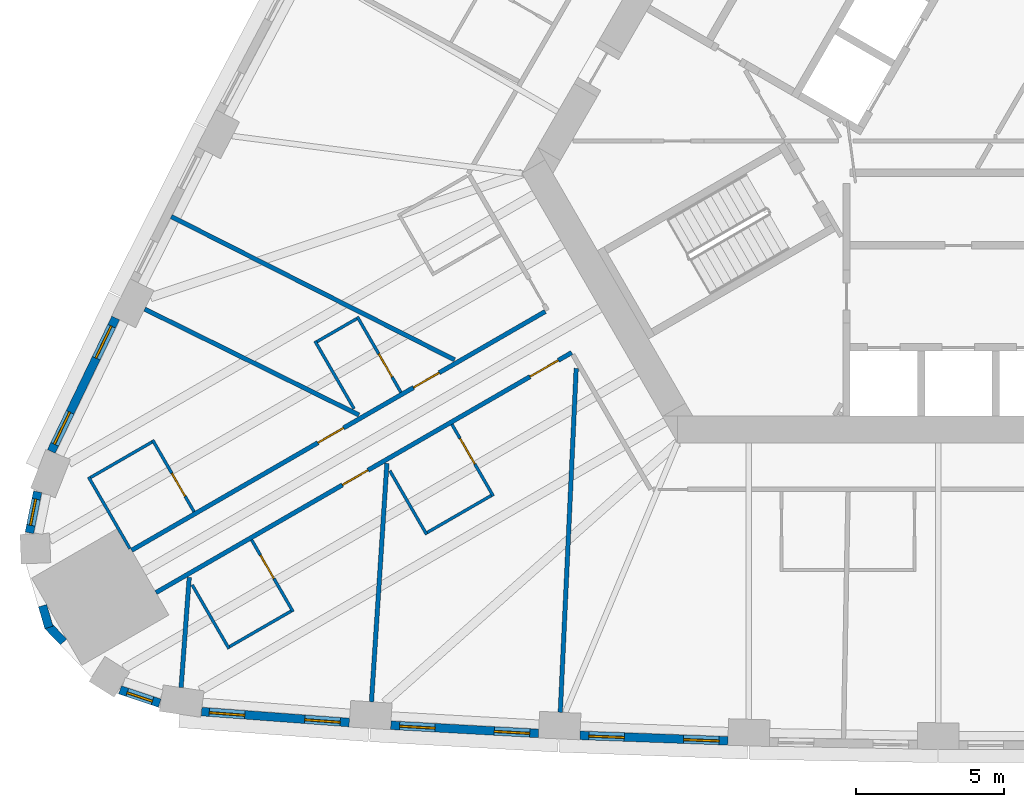
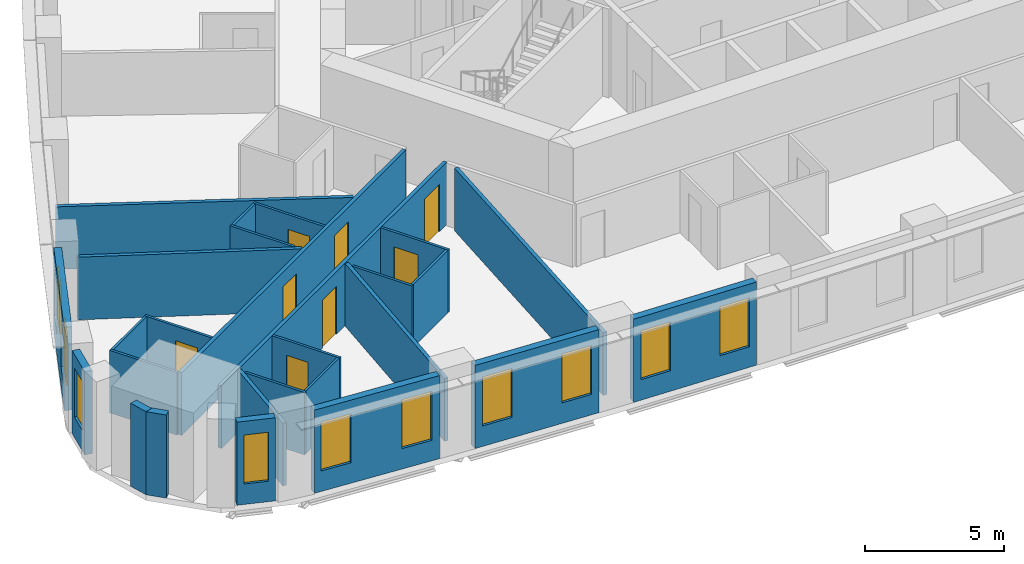
# One storey, part 3 of 13: 27 walls, 10 windows, 8 doors, 18 openings.
"""IFC4 building model written with IfcOpenShell, lengths in metres."""

from ifc_helpers import new_model, si_unit, direction, frame, frame_2d, origin, place, context, subcontext, project, spatial, rectangle, extrude, material, layer, layer_set, type_object, element, fill, save


model = new_model("IFC4")

# Units and contexts
model_context = context("Model", 3, precision=1e-05, world=origin(), true_north=direction((0.0, 1.0)))
body_context = subcontext(model_context, "Body", "Model", "MODEL_VIEW")
ifc_project = project(units=[si_unit("LENGTHUNIT", "METRE"), si_unit("AREAUNIT", "SQUARE_METRE"), si_unit("VOLUMEUNIT", "CUBIC_METRE"), si_unit("PLANEANGLEUNIT", "RADIAN"), si_unit("MASSUNIT", "GRAM", prefix="KILO")], contexts=[model_context])

# Site, building, storey
site_placement = place(None, origin())
site = spatial("IfcSite", under=ifc_project, at=site_placement, CompositionType="ELEMENT")
building_placement = place(site_placement, origin())
building = spatial("IfcBuilding", under=site, at=building_placement, Name="Mestral Congress Tower", CompositionType="ELEMENT")
storey_placement = place(building_placement, frame((0.0, 0.0, 58.800048828125)))
storey = spatial("IfcBuildingStorey", under=building, at=storey_placement, Name="L13", CompositionType="ELEMENT", Elevation=58.800048828125)

# Wall, openings, windows
ifc_material_1 = material(Name="Precast concrete C40/50 with limestone facing", Category="masonry")
ifc_layer_1 = layer(ifc_material_1, 0.2900390625)
ifc_layer_set_1 = layer_set([ifc_layer_1], Name="Precast concrete C40/50 with limestone facing")
wall_type_1 = type_object("IfcWallType", Name="Facade stone wall 290", PredefinedType="SOLIDWALL", material=ifc_layer_set_1)
wall_1_placement = place(storey_placement, frame((-28.097900390625, -22.086181640625, 0.0), z_axis=(0.0, 0.0, 1.0), x_axis=(0.997266290399, -0.073891447643, 0.0)))
wall_1 = element("IfcWall", 1, at=wall_1_placement, inside=storey, type_object=wall_type_1, Name="Facade wall F0-00", PredefinedType="SOLIDWALL", context=body_context, shape_type="SweptSolid", body=[
    extrude(rectangle(XDim=5.005615234375, YDim=0.2900390625, at=frame_2d((2.5029296875, 0.0))), origin(), (0.0, 0.0, 1.0), 3.64990234375),
])
opening_1_placement = place(wall_1_placement, frame((0.26513671875, 0.0, 0.89990234375)))
opening_1 = element("IfcOpeningElement", 2, at=opening_1_placement, cuts=wall_1, Name="Opening W1", PredefinedType="OPENING", context=body_context, shape_type="SweptSolid", body=[
    extrude(rectangle(XDim=1.199951171875, YDim=2.14990234375, at=frame_2d((0.60009765625, 1.074951171875))), frame((0.0, 0.155029296875, 0.0), z_axis=(0.0, -1.0, 0.0), x_axis=(1.0, 0.0, 0.0)), (0.0, 0.0, 1.0), 0.31005859375),
])
opening_2_placement = place(wall_1_placement, frame((3.49560546875, 0.0, 0.89990234375)))
opening_2 = element("IfcOpeningElement", 3, at=opening_2_placement, cuts=wall_1, Name="Opening W1", PredefinedType="OPENING", context=body_context, shape_type="SweptSolid", body=[
    extrude(rectangle(XDim=1.199951171875, YDim=2.14990234375, at=frame_2d((0.60009765625, 1.074951171875))), frame((0.0, 0.155029296875, 0.0), z_axis=(0.0, -1.0, 0.0), x_axis=(1.0, 0.0, 0.0)), (0.0, 0.0, 1.0), 0.31005859375),
])
ifc_material_2 = material(Name="Clear low-emissivity double glazing", Category="glass")
window_type_1 = type_object("IfcWindowType", Name="Facade punched window 1200 x 2150 sill 900", PartitioningType="DOUBLE_PANEL_VERTICAL", PredefinedType="WINDOW", material=ifc_material_2)
window_1_placement = place(opening_1_placement, origin())
window_1 = element("IfcWindow", 4, at=window_1_placement, inside=storey, type_object=window_type_1, Name="Window F0-00a", OverallHeight=2.14990234375, OverallWidth=1.199951171875, PartitioningType="DOUBLE_PANEL_VERTICAL", PredefinedType="WINDOW", context=body_context, shape_type="SweptSolid", body=[
    extrude(rectangle(XDim=1.199951171875, YDim=2.14990234375, at=frame_2d((0.60009765625, 1.074951171875))), frame((0.0, 0.01513671875, 0.0), z_axis=(0.0, -1.0, 0.0), x_axis=(1.0, 0.0, 0.0)), (0.0, 0.0, 1.0), 0.06005859375),
])
fill(opening_1, window_1)
window_2_placement = place(opening_2_placement, origin())
window_2 = element("IfcWindow", 5, at=window_2_placement, inside=storey, type_object=window_type_1, Name="Window F0-00b", OverallHeight=2.14990234375, OverallWidth=1.199951171875, PartitioningType="DOUBLE_PANEL_VERTICAL", PredefinedType="WINDOW", context=body_context, shape_type="SweptSolid", body=[
    extrude(rectangle(XDim=1.199951171875, YDim=2.14990234375, at=frame_2d((0.60009765625, 1.074951171875))), frame((0.0, 0.01513671875, 0.0), z_axis=(0.0, -1.0, 0.0), x_axis=(1.0, 0.0, 0.0)), (0.0, 0.0, 1.0), 0.06005859375),
])
fill(opening_2, window_2)

wall_2_placement = place(storey_placement, frame((-21.701416015625, -22.547119140625, 0.0), z_axis=(0.0, 0.0, 1.0), x_axis=(0.998464708705, -0.055391564976, 0.0)))
wall_2 = element("IfcWall", 6, at=wall_2_placement, inside=storey, type_object=wall_type_1, Name="Facade wall F0-01", PredefinedType="SOLIDWALL", context=body_context, shape_type="SweptSolid", body=[
    extrude(rectangle(XDim=4.998046875, YDim=0.2900390625, at=frame_2d((2.4990234375, 0.0))), origin(), (0.0, 0.0, 1.0), 3.64990234375),
])
opening_3_placement = place(wall_2_placement, frame((0.297119140625, 0.0, 0.89990234375)))
opening_3 = element("IfcOpeningElement", 7, at=opening_3_placement, cuts=wall_2, Name="Opening W1", PredefinedType="OPENING", context=body_context, shape_type="SweptSolid", body=[
    extrude(rectangle(XDim=1.199951171875, YDim=2.14990234375, at=frame_2d((0.60009765625, 1.074951171875))), frame((0.0, 0.155029296875, 0.0), z_axis=(0.0, -1.0, 0.0), x_axis=(1.0, 0.0, 0.0)), (0.0, 0.0, 1.0), 0.31005859375),
])
opening_4_placement = place(wall_2_placement, frame((3.501220703125, 0.0, 0.89990234375)))
opening_4 = element("IfcOpeningElement", 8, at=opening_4_placement, cuts=wall_2, Name="Opening W1", PredefinedType="OPENING", context=body_context, shape_type="SweptSolid", body=[
    extrude(rectangle(XDim=1.199951171875, YDim=2.14990234375, at=frame_2d((0.60009765625, 1.074951171875))), frame((0.0, 0.155029296875, 0.0), z_axis=(0.0, -1.0, 0.0), x_axis=(1.0, 0.0, 0.0)), (0.0, 0.0, 1.0), 0.31005859375),
])
window_3_placement = place(opening_3_placement, origin())
window_3 = element("IfcWindow", 9, at=window_3_placement, inside=storey, type_object=window_type_1, Name="Window F0-01a", OverallHeight=2.14990234375, OverallWidth=1.199951171875, PartitioningType="DOUBLE_PANEL_VERTICAL", PredefinedType="WINDOW", context=body_context, shape_type="SweptSolid", body=[
    extrude(rectangle(XDim=1.199951171875, YDim=2.14990234375, at=frame_2d((0.60009765625, 1.074951171875))), frame((0.0, 0.01513671875, 0.0), z_axis=(0.0, -1.0, 0.0), x_axis=(1.0, 0.0, 0.0)), (0.0, 0.0, 1.0), 0.06005859375),
])
fill(opening_3, window_3)
window_4_placement = place(opening_4_placement, origin())
window_4 = element("IfcWindow", 10, at=window_4_placement, inside=storey, type_object=window_type_1, Name="Window F0-01b", OverallHeight=2.14990234375, OverallWidth=1.199951171875, PartitioningType="DOUBLE_PANEL_VERTICAL", PredefinedType="WINDOW", context=body_context, shape_type="SweptSolid", body=[
    extrude(rectangle(XDim=1.199951171875, YDim=2.14990234375, at=frame_2d((0.60009765625, 1.074951171875))), frame((0.0, 0.01513671875, 0.0), z_axis=(0.0, -1.0, 0.0), x_axis=(1.0, 0.0, 0.0)), (0.0, 0.0, 1.0), 0.06005859375),
])
fill(opening_4, window_4)

wall_3_placement = place(storey_placement, frame((-15.30517578125, -22.88916015625, 0.0), z_axis=(0.0, 0.0, 1.0), x_axis=(0.999317974969, -0.036926750529, 0.0)))
wall_3 = element("IfcWall", 11, at=wall_3_placement, inside=storey, type_object=wall_type_1, Name="Facade wall F0-02", PredefinedType="SOLIDWALL", context=body_context, shape_type="SweptSolid", body=[
    extrude(rectangle(XDim=4.998291015625, YDim=0.2900390625, at=frame_2d((2.4990234375, 0.0))), origin(), (0.0, 0.0, 1.0), 3.64990234375),
])
opening_5_placement = place(wall_3_placement, frame((0.297119140625, 0.0, 0.89990234375)))
opening_5 = element("IfcOpeningElement", 12, at=opening_5_placement, cuts=wall_3, Name="Opening W1", PredefinedType="OPENING", context=body_context, shape_type="SweptSolid", body=[
    extrude(rectangle(XDim=1.199951171875, YDim=2.14990234375, at=frame_2d((0.60009765625, 1.074951171875))), frame((0.0, 0.155029296875, 0.0), z_axis=(0.0, -1.0, 0.0), x_axis=(1.0, 0.0, 0.0)), (0.0, 0.0, 1.0), 0.31005859375),
])
opening_6_placement = place(wall_3_placement, frame((3.501220703125, 0.0, 0.89990234375)))
opening_6 = element("IfcOpeningElement", 13, at=opening_6_placement, cuts=wall_3, Name="Opening W1", PredefinedType="OPENING", context=body_context, shape_type="SweptSolid", body=[
    extrude(rectangle(XDim=1.199951171875, YDim=2.14990234375, at=frame_2d((0.60009765625, 1.074951171875))), frame((0.0, 0.155029296875, 0.0), z_axis=(0.0, -1.0, 0.0), x_axis=(1.0, 0.0, 0.0)), (0.0, 0.0, 1.0), 0.31005859375),
])
window_5_placement = place(opening_5_placement, origin())
window_5 = element("IfcWindow", 14, at=window_5_placement, inside=storey, type_object=window_type_1, Name="Window F0-02a", OverallHeight=2.14990234375, OverallWidth=1.199951171875, PartitioningType="DOUBLE_PANEL_VERTICAL", PredefinedType="WINDOW", context=body_context, shape_type="SweptSolid", body=[
    extrude(rectangle(XDim=1.199951171875, YDim=2.14990234375, at=frame_2d((0.60009765625, 1.074951171875))), frame((0.0, 0.01513671875, 0.0), z_axis=(0.0, -1.0, 0.0), x_axis=(1.0, 0.0, 0.0)), (0.0, 0.0, 1.0), 0.06005859375),
])
fill(opening_5, window_5)
window_6_placement = place(opening_6_placement, origin())
window_6 = element("IfcWindow", 15, at=window_6_placement, inside=storey, type_object=window_type_1, Name="Window F0-02b", OverallHeight=2.14990234375, OverallWidth=1.199951171875, PartitioningType="DOUBLE_PANEL_VERTICAL", PredefinedType="WINDOW", context=body_context, shape_type="SweptSolid", body=[
    extrude(rectangle(XDim=1.199951171875, YDim=2.14990234375, at=frame_2d((0.60009765625, 1.074951171875))), frame((0.0, 0.01513671875, 0.0), z_axis=(0.0, -1.0, 0.0), x_axis=(1.0, 0.0, 0.0)), (0.0, 0.0, 1.0), 0.06005859375),
])
fill(opening_6, window_6)

wall_4_placement = place(storey_placement, frame((-31.000244140625, -8.7822265625, 0.0), z_axis=(0.0, 0.0, 1.0), x_axis=(-0.434664499056, -0.900592456808, 0.0)))
wall_4 = element("IfcWall", 16, at=wall_4_placement, inside=storey, type_object=wall_type_1, Name="Facade wall F2-08", PredefinedType="SOLIDWALL", context=body_context, shape_type="SweptSolid", body=[
    extrude(rectangle(XDim=5.005615234375, YDim=0.2900390625, at=frame_2d((2.5029296875, 0.0))), origin(), (0.0, 0.0, 1.0), 3.64990234375),
])
opening_7_placement = place(wall_4_placement, frame((0.310302734375, 0.0, 0.89990234375)))
opening_7 = element("IfcOpeningElement", 17, at=opening_7_placement, cuts=wall_4, Name="Opening W1", PredefinedType="OPENING", context=body_context, shape_type="SweptSolid", body=[
    extrude(rectangle(XDim=1.199951171875, YDim=2.14990234375, at=frame_2d((0.60009765625, 1.074951171875))), frame((0.0, 0.155029296875, 0.0), z_axis=(0.0, -1.0, 0.0), x_axis=(1.0, 0.0, 0.0)), (0.0, 0.0, 1.0), 0.31005859375),
])
opening_8_placement = place(wall_4_placement, frame((3.54052734375, 0.0, 0.89990234375)))
opening_8 = element("IfcOpeningElement", 18, at=opening_8_placement, cuts=wall_4, Name="Opening W1", PredefinedType="OPENING", context=body_context, shape_type="SweptSolid", body=[
    extrude(rectangle(XDim=1.199951171875, YDim=2.14990234375, at=frame_2d((0.60009765625, 1.074951171875))), frame((0.0, 0.155029296875, 0.0), z_axis=(0.0, -1.0, 0.0), x_axis=(1.0, 0.0, 0.0)), (0.0, 0.0, 1.0), 0.31005859375),
])
window_7_placement = place(opening_7_placement, origin())
window_7 = element("IfcWindow", 19, at=window_7_placement, inside=storey, type_object=window_type_1, Name="Window F2-08a", OverallHeight=2.14990234375, OverallWidth=1.199951171875, PartitioningType="DOUBLE_PANEL_VERTICAL", PredefinedType="WINDOW", context=body_context, shape_type="SweptSolid", body=[
    extrude(rectangle(XDim=1.199951171875, YDim=2.14990234375, at=frame_2d((0.60009765625, 1.074951171875))), frame((0.0, 0.01513671875, 0.0), z_axis=(0.0, -1.0, 0.0), x_axis=(1.0, 0.0, 0.0)), (0.0, 0.0, 1.0), 0.06005859375),
])
fill(opening_7, window_7)
window_8_placement = place(opening_8_placement, origin())
window_8 = element("IfcWindow", 20, at=window_8_placement, inside=storey, type_object=window_type_1, Name="Window F2-08b", OverallHeight=2.14990234375, OverallWidth=1.199951171875, PartitioningType="DOUBLE_PANEL_VERTICAL", PredefinedType="WINDOW", context=body_context, shape_type="SweptSolid", body=[
    extrude(rectangle(XDim=1.199951171875, YDim=2.14990234375, at=frame_2d((0.60009765625, 1.074951171875))), frame((0.0, 0.01513671875, 0.0), z_axis=(0.0, -1.0, 0.0), x_axis=(1.0, 0.0, 0.0)), (0.0, 0.0, 1.0), 0.06005859375),
])
fill(opening_8, window_8)

# Wall, opening, window
wall_5_placement = place(storey_placement, frame((-33.63720703125, -14.656982421875, 0.0), z_axis=(0.0, 0.0, 1.0), x_axis=(-0.198106888228, -0.980180422594, 0.0)))
wall_5 = element("IfcWall", 21, at=wall_5_placement, inside=storey, type_object=wall_type_1, Name="Facade wall K2-0", PredefinedType="SOLIDWALL", context=body_context, shape_type="SweptSolid", body=[
    extrude(rectangle(XDim=1.414794921875, YDim=0.2900390625, at=frame_2d((0.70751953125, 0.0))), origin(), (0.0, 0.0, 1.0), 3.64990234375),
])
opening_9_placement = place(wall_5_placement, frame((0.25732421875, 0.0, 0.89990234375)))
opening_9 = element("IfcOpeningElement", 22, at=opening_9_placement, cuts=wall_5, Name="Opening W3", PredefinedType="OPENING", context=body_context, shape_type="SweptSolid", body=[
    extrude(rectangle(XDim=0.89990234375, YDim=2.14990234375, at=frame_2d((0.449951171875, 1.074951171875))), frame((0.0, 0.155029296875, 0.0), z_axis=(0.0, -1.0, 0.0), x_axis=(1.0, 0.0, 0.0)), (0.0, 0.0, 1.0), 0.31005859375),
])
window_type_2 = type_object("IfcWindowType", Name="Facade punched window 900 x 2150 sill 900", PartitioningType="SINGLE_PANEL", PredefinedType="WINDOW", material=ifc_material_2)
window_9_placement = place(opening_9_placement, origin())
window_9 = element("IfcWindow", 23, at=window_9_placement, inside=storey, type_object=window_type_2, Name="Window K2-0", OverallHeight=2.14990234375, OverallWidth=0.89990234375, PartitioningType="SINGLE_PANEL", PredefinedType="WINDOW", context=body_context, shape_type="SweptSolid", body=[
    extrude(rectangle(XDim=0.89990234375, YDim=2.14990234375, at=frame_2d((0.449951171875, 1.074951171875))), frame((0.0, 0.01513671875, 0.0), z_axis=(0.0, -1.0, 0.0), x_axis=(1.0, 0.0, 0.0)), (0.0, 0.0, 1.0), 0.06005859375),
])
fill(opening_9, window_9)

# Walls
for number, where, z_axis, x_axis, name in (
    (24, (-33.4697265625, -18.507080078125, 0.0), (0.0, 0.0, 1.0), (0.278981320915, -0.960296528464, 0.0), "Facade wall K2-1"),
    (25, (-33.291259765625, -19.180908203125, 0.0), (0.0, 0.0, 1.0), (0.692252359589, -0.721655506903, 0.0), "Facade wall K2-2"),
):
    element("IfcWall", number, at=place(storey_placement, frame(where, z_axis=z_axis, x_axis=x_axis)), inside=storey, type_object=wall_type_1, Name=name, PredefinedType="SOLIDWALL", context=body_context, shape_type="SweptSolid", body=[
        extrude(rectangle(XDim=0.763916015625, YDim=0.2900390625, at=frame_2d((0.3818359375, 0.0))), origin(), (0.0, 0.0, 1.0), 3.64990234375),
    ])

# Wall, opening, window
wall_6_placement = place(storey_placement, frame((-30.852783203125, -21.3515625, 0.0), z_axis=(0.0, 0.0, 1.0), x_axis=(0.947903891592, -0.318556450734, 0.0)))
wall_6 = element("IfcWall", 26, at=wall_6_placement, inside=storey, type_object=wall_type_1, Name="Facade wall K2-3", PredefinedType="SOLIDWALL", context=body_context, shape_type="SweptSolid", body=[
    extrude(rectangle(XDim=1.414794921875, YDim=0.2900390625, at=frame_2d((0.70751953125, 0.0))), origin(), (0.0, 0.0, 1.0), 3.64990234375),
])
opening_10_placement = place(wall_6_placement, frame((0.25732421875, 0.0, 0.89990234375)))
opening_10 = element("IfcOpeningElement", 27, at=opening_10_placement, cuts=wall_6, Name="Opening W3", PredefinedType="OPENING", context=body_context, shape_type="SweptSolid", body=[
    extrude(rectangle(XDim=0.89990234375, YDim=2.14990234375, at=frame_2d((0.449951171875, 1.074951171875))), frame((0.0, 0.155029296875, 0.0), z_axis=(0.0, -1.0, 0.0), x_axis=(1.0, 0.0, 0.0)), (0.0, 0.0, 1.0), 0.31005859375),
])
window_10_placement = place(opening_10_placement, origin())
window_10 = element("IfcWindow", 28, at=window_10_placement, inside=storey, type_object=window_type_2, Name="Window K2-3", OverallHeight=2.14990234375, OverallWidth=0.89990234375, PartitioningType="SINGLE_PANEL", PredefinedType="WINDOW", context=body_context, shape_type="SweptSolid", body=[
    extrude(rectangle(XDim=0.89990234375, YDim=2.14990234375, at=frame_2d((0.449951171875, 1.074951171875))), frame((0.0, 0.01513671875, 0.0), z_axis=(0.0, -1.0, 0.0), x_axis=(1.0, 0.0, 0.0)), (0.0, 0.0, 1.0), 0.06005859375),
])
fill(opening_10, window_10)

# Wall, opening, door
ifc_material_3 = material(Name="Gypsum board partition on metal studs with mineral wool", Category="composite")
ifc_layer_2 = layer(ifc_material_3, 0.10009765625)
ifc_layer_set_2 = layer_set([ifc_layer_2], Name="Gypsum board partition on metal studs with mineral wool")
wall_type_2 = type_object("IfcWallType", Name="Hotel partition wall 100", PredefinedType="PARTITIONING", material=ifc_layer_set_2)
wall_7_placement = place(storey_placement, frame((-25.0048828125, -18.708984375, 0.0), z_axis=(0.0, 0.0, 1.0), x_axis=(-0.49998411664, 0.866034573852, 0.0)))
wall_7 = element("IfcWall", 29, at=wall_7_placement, inside=storey, type_object=wall_type_2, Name="L13-h-pod01a", PredefinedType="PARTITIONING", context=body_context, shape_type="SweptSolid", body=[
    extrude(rectangle(XDim=2.7998046875, YDim=0.10009765625, at=frame_2d((1.39990234375, 0.0))), origin(), (0.0, 0.0, 1.0), 2.75),
])
opening_11_placement = place(wall_7_placement, frame((1.300048828125, 0.0, 0.0)))
opening_11 = element("IfcOpeningElement", 30, at=opening_11_placement, cuts=wall_7, Name="Opening H03-002", PredefinedType="OPENING", context=body_context, shape_type="SweptSolid", body=[
    extrude(rectangle(XDim=0.89990234375, YDim=2.10009765625, at=frame_2d((0.449951171875, 1.050048828125))), frame((0.0, 0.06005859375, 0.0), z_axis=(0.0, -1.0, 0.0), x_axis=(1.0, 0.0, 0.0)), (0.0, 0.0, 1.0), 0.1201171875),
])
ifc_material_4 = material(Name="Timber veneer door leaf in timber frame", Category="wood")
door_type_1 = type_object("IfcDoorType", Name="Bathroom door 900", OperationType="SINGLE_SWING_LEFT", PredefinedType="DOOR", material=ifc_material_4)
door_1_placement = place(opening_11_placement, origin())
door_1 = element("IfcDoor", 31, at=door_1_placement, inside=storey, type_object=door_type_1, Name="L13-h-d002", OperationType="SINGLE_SWING_LEFT", OverallHeight=2.10009765625, OverallWidth=0.89990234375, PredefinedType="DOOR", context=body_context, shape_type="SweptSolid", body=[
    extrude(rectangle(XDim=0.89990234375, YDim=2.10009765625, at=frame_2d((0.449951171875, 1.050048828125))), frame((0.0, 0.02490234375, 0.0), z_axis=(0.0, -1.0, 0.0), x_axis=(1.0, 0.0, 0.0)), (0.0, 0.0, 1.0), 0.050048828125),
])
fill(opening_11, door_1)

# Walls
wall_8_placement = place(storey_placement, frame((-25.072998046875, -18.690673828125, 0.0), z_axis=(0.0, 0.0, 1.0), x_axis=(-0.866050077142, -0.499957262057, 0.0)))
element("IfcWall", 32, at=wall_8_placement, inside=storey, type_object=wall_type_2, Name="L13-h-pod01b", PredefinedType="PARTITIONING", context=body_context, shape_type="SweptSolid", body=[
    extrude(rectangle(XDim=2.400146484375, YDim=0.10009765625, at=frame_2d((1.2001953125, 0.0))), origin(), (0.0, 0.0, 1.0), 2.75),
])
wall_9_placement = place(storey_placement, frame((-28.414794921875, -17.802490234375, 0.0), z_axis=(0.0, 0.0, 1.0), x_axis=(0.499945955465, -0.866056604163, 0.0)))
element("IfcWall", 33, at=wall_9_placement, inside=storey, type_object=wall_type_2, Name="L13-h-pod01c", PredefinedType="PARTITIONING", context=body_context, shape_type="SweptSolid", body=[
    extrude(rectangle(XDim=2.489990234375, YDim=0.10009765625, at=frame_2d((1.2451171875, 0.0))), origin(), (0.0, 0.0, 1.0), 2.75),
])

# Wall, opening, door
wall_10_placement = place(storey_placement, frame((-18.2373046875, -14.8017578125, 0.0), z_axis=(0.0, 0.0, 1.0), x_axis=(-0.49994636267, 0.866056369097, 0.0)))
wall_10 = element("IfcWall", 34, at=wall_10_placement, inside=storey, type_object=wall_type_2, Name="L13-h-pod02a", PredefinedType="PARTITIONING", context=body_context, shape_type="SweptSolid", body=[
    extrude(rectangle(XDim=2.800048828125, YDim=0.10009765625, at=frame_2d((1.39990234375, 0.0))), origin(), (0.0, 0.0, 1.0), 2.75),
])
opening_12_placement = place(wall_10_placement, frame((1.25, 0.0, 0.0)))
opening_12 = element("IfcOpeningElement", 35, at=opening_12_placement, cuts=wall_10, Name="Opening H03-004", PredefinedType="OPENING", context=body_context, shape_type="SweptSolid", body=[
    extrude(rectangle(XDim=1.0, YDim=2.10009765625, at=frame_2d((0.5, 1.050048828125))), frame((0.0, 0.06005859375, 0.0), z_axis=(0.0, -1.0, 0.0), x_axis=(1.0, 0.0, 0.0)), (0.0, 0.0, 1.0), 0.1201171875),
])
door_type_2 = type_object("IfcDoorType", Name="Accessible bathroom door 1000", OperationType="SINGLE_SWING_LEFT", PredefinedType="DOOR", material=ifc_material_4)
door_2_placement = place(opening_12_placement, origin())
door_2 = element("IfcDoor", 36, at=door_2_placement, inside=storey, type_object=door_type_2, Name="L13-h-d004", OperationType="SINGLE_SWING_LEFT", OverallHeight=2.10009765625, OverallWidth=1.0, PredefinedType="DOOR", context=body_context, shape_type="SweptSolid", body=[
    extrude(rectangle(XDim=1.0, YDim=2.10009765625, at=frame_2d((0.5, 1.050048828125))), frame((0.0, 0.02490234375, 0.0), z_axis=(0.0, -1.0, 0.0), x_axis=(1.0, 0.0, 0.0)), (0.0, 0.0, 1.0), 0.050048828125),
])
fill(opening_12, door_2)

# Walls
wall_11_placement = place(storey_placement, frame((-18.305419921875, -14.783447265625, 0.0), z_axis=(0.0, 0.0, 1.0), x_axis=(-0.866047370643, -0.499961950354, 0.0)))
element("IfcWall", 37, at=wall_11_placement, inside=storey, type_object=wall_type_2, Name="L13-h-pod02b", PredefinedType="PARTITIONING", context=body_context, shape_type="SweptSolid", body=[
    extrude(rectangle(XDim=2.500244140625, YDim=0.10009765625, at=frame_2d((1.25, 0.0))), origin(), (0.0, 0.0, 1.0), 2.75),
])
wall_12_placement = place(storey_placement, frame((-21.73388671875, -13.9453125, 0.0), z_axis=(0.0, 0.0, 1.0), x_axis=(0.499945955465, -0.866056604163, 0.0)))
element("IfcWall", 38, at=wall_12_placement, inside=storey, type_object=wall_type_2, Name="L13-h-pod02c", PredefinedType="PARTITIONING", context=body_context, shape_type="SweptSolid", body=[
    extrude(rectangle(XDim=2.489990234375, YDim=0.10009765625, at=frame_2d((1.2451171875, 0.0))), origin(), (0.0, 0.0, 1.0), 2.75),
])

# Wall, opening, door
wall_13_placement = place(storey_placement, frame((-21.360107421875, -11.29296875, 0.0), z_axis=(0.0, 0.0, 1.0), x_axis=(-0.49997559174, 0.866039495442, 0.0)))
wall_13 = element("IfcWall", 39, at=wall_13_placement, inside=storey, type_object=wall_type_2, Name="L13-h-pod25a", PredefinedType="PARTITIONING", context=body_context, shape_type="SweptSolid", body=[
    extrude(rectangle(XDim=2.949951171875, YDim=0.10009765625, at=frame_2d((1.47509765625, 0.0))), origin(), (0.0, 0.0, 1.0), 2.75),
])
opening_13_placement = place(wall_13_placement, frame((0.60009765625, 0.0, 0.0)))
opening_13 = element("IfcOpeningElement", 40, at=opening_13_placement, cuts=wall_13, Name="Opening H03-048", PredefinedType="OPENING", context=body_context, shape_type="SweptSolid", body=[
    extrude(rectangle(XDim=0.89990234375, YDim=2.10009765625, at=frame_2d((0.449951171875, 1.050048828125))), frame((0.0, 0.06005859375, 0.0), z_axis=(0.0, -1.0, 0.0), x_axis=(1.0, 0.0, 0.0)), (0.0, 0.0, 1.0), 0.1201171875),
])
door_3_placement = place(opening_13_placement, origin())
door_3 = element("IfcDoor", 41, at=door_3_placement, inside=storey, type_object=door_type_1, Name="L13-h-d048", OperationType="SINGLE_SWING_LEFT", OverallHeight=2.10009765625, OverallWidth=0.89990234375, PredefinedType="DOOR", context=body_context, shape_type="SweptSolid", body=[
    extrude(rectangle(XDim=0.89990234375, YDim=2.10009765625, at=frame_2d((0.449951171875, 1.050048828125))), frame((0.0, 0.02490234375, 0.0), z_axis=(0.0, -1.0, 0.0), x_axis=(1.0, 0.0, 0.0)), (0.0, 0.0, 1.0), 0.050048828125),
])
fill(opening_13, door_3)

# Walls
wall_14_placement = place(storey_placement, frame((-22.853271484375, -8.806396484375, 0.0), z_axis=(0.0, 0.0, 1.0), x_axis=(-0.86601511528, -0.500017819788, 0.0)))
element("IfcWall", 42, at=wall_14_placement, inside=storey, type_object=wall_type_2, Name="L13-h-pod25b", PredefinedType="PARTITIONING", context=body_context, shape_type="SweptSolid", body=[
    extrude(rectangle(XDim=1.55029296875, YDim=0.10009765625, at=frame_2d((0.775146484375, 0.0))), origin(), (0.0, 0.0, 1.0), 2.75),
])
wall_15_placement = place(storey_placement, frame((-22.944091796875, -11.849609375, 0.0), z_axis=(0.0, 0.0, 1.0), x_axis=(-0.499938597367, 0.866060851709, 0.0)))
element("IfcWall", 43, at=wall_15_placement, inside=storey, type_object=wall_type_2, Name="L13-h-pod25c", PredefinedType="PARTITIONING", context=body_context, shape_type="SweptSolid", body=[
    extrude(rectangle(XDim=2.639892578125, YDim=0.10009765625, at=frame_2d((1.31982421875, 0.0))), origin(), (0.0, 0.0, 1.0), 2.75),
])

# Wall, opening, door
wall_16_placement = place(storey_placement, frame((-28.352294921875, -15.330078125, 0.0), z_axis=(0.0, 0.0, 1.0), x_axis=(-0.500049511043, 0.865996816683, 0.0)))
wall_16 = element("IfcWall", 44, at=wall_16_placement, inside=storey, type_object=wall_type_2, Name="L13-h-pod26a", PredefinedType="PARTITIONING", context=body_context, shape_type="SweptSolid", body=[
    extrude(rectangle(XDim=2.800048828125, YDim=0.10009765625, at=frame_2d((1.39990234375, 0.0))), origin(), (0.0, 0.0, 1.0), 2.75),
])
opening_14_placement = place(wall_16_placement, frame((0.60009765625, 0.0, 0.0)))
opening_14 = element("IfcOpeningElement", 45, at=opening_14_placement, cuts=wall_16, Name="Opening H03-050", PredefinedType="OPENING", context=body_context, shape_type="SweptSolid", body=[
    extrude(rectangle(XDim=0.89990234375, YDim=2.10009765625, at=frame_2d((0.449951171875, 1.050048828125))), frame((0.0, 0.06005859375, 0.0), z_axis=(0.0, -1.0, 0.0), x_axis=(1.0, 0.0, 0.0)), (0.0, 0.0, 1.0), 0.1201171875),
])
door_4_placement = place(opening_14_placement, origin())
door_4 = element("IfcDoor", 46, at=door_4_placement, inside=storey, type_object=door_type_1, Name="L13-h-d050", OperationType="SINGLE_SWING_LEFT", OverallHeight=2.10009765625, OverallWidth=0.89990234375, PredefinedType="DOOR", context=body_context, shape_type="SweptSolid", body=[
    extrude(rectangle(XDim=0.89990234375, YDim=2.10009765625, at=frame_2d((0.449951171875, 1.050048828125))), frame((0.0, 0.02490234375, 0.0), z_axis=(0.0, -1.0, 0.0), x_axis=(1.0, 0.0, 0.0)), (0.0, 0.0, 1.0), 0.050048828125),
])
fill(opening_14, door_4)

# Walls
wall_17_placement = place(storey_placement, frame((-29.770751953125, -12.973388671875, 0.0), z_axis=(0.0, 0.0, 1.0), x_axis=(-0.865980596518, -0.500077600433, 0.0)))
element("IfcWall", 47, at=wall_17_placement, inside=storey, type_object=wall_type_2, Name="L13-h-pod26b", PredefinedType="PARTITIONING", context=body_context, shape_type="SweptSolid", body=[
    extrude(rectangle(XDim=2.39990234375, YDim=0.10009765625, at=frame_2d((1.199951171875, 0.0))), origin(), (0.0, 0.0, 1.0), 2.75),
])
wall_18_placement = place(storey_placement, frame((-30.517578125, -16.580078125, 0.0), z_axis=(0.0, 0.0, 1.0), x_axis=(-0.49998411664, 0.866034573852, 0.0)))
element("IfcWall", 48, at=wall_18_placement, inside=storey, type_object=wall_type_2, Name="L13-h-pod26c", PredefinedType="PARTITIONING", context=body_context, shape_type="SweptSolid", body=[
    extrude(rectangle(XDim=2.7998046875, YDim=0.10009765625, at=frame_2d((1.39990234375, 0.0))), origin(), (0.0, 0.0, 1.0), 2.75),
])

# Wall, openings, doors
ifc_layer_3 = layer(ifc_material_3, 0.14990234375)
ifc_layer_set_3 = layer_set([ifc_layer_3], Name="Gypsum board partition on metal studs with mineral wool")
wall_type_3 = type_object("IfcWallType", Name="Hotel partition wall 150", PredefinedType="PARTITIONING", material=ifc_layer_set_3)
wall_19_placement = place(storey_placement, frame((-30.462646484375, -16.635009765625, 0.0), z_axis=(0.0, 0.0, 1.0), x_axis=(0.866022394896, 0.500005211512, 0.0)))
wall_19 = element("IfcWall", 49, at=wall_19_placement, inside=storey, type_object=wall_type_3, Name="L13-h-cw10", PredefinedType="PARTITIONING", context=body_context, shape_type="SweptSolid", body=[
    extrude(rectangle(XDim=16.143798828125, YDim=0.14990234375, at=frame_2d((8.07177734375, 0.0))), origin(), (0.0, 0.0, 1.0), 2.75),
])
opening_15_placement = place(wall_19_placement, frame((11.004150390625, 0.0, 0.0)))
opening_15 = element("IfcOpeningElement", 50, at=opening_15_placement, cuts=wall_19, Name="Opening H03-047", PredefinedType="OPENING", context=body_context, shape_type="SweptSolid", body=[
    extrude(rectangle(XDim=1.0, YDim=2.10009765625, at=frame_2d((0.5, 1.050048828125))), frame((0.0, 0.0849609375, 0.0), z_axis=(0.0, -1.0, 0.0), x_axis=(1.0, 0.0, 0.0)), (0.0, 0.0, 1.0), 0.169921875),
])
opening_16_placement = place(wall_19_placement, frame((7.273681640625, 0.0, 0.0)))
opening_16 = element("IfcOpeningElement", 51, at=opening_16_placement, cuts=wall_19, Name="Opening H03-049", PredefinedType="OPENING", context=body_context, shape_type="SweptSolid", body=[
    extrude(rectangle(XDim=1.0, YDim=2.10009765625, at=frame_2d((0.5, 1.050048828125))), frame((0.0, 0.0849609375, 0.0), z_axis=(0.0, -1.0, 0.0), x_axis=(1.0, 0.0, 0.0)), (0.0, 0.0, 1.0), 0.169921875),
])
ifc_material_5 = material(Name="Timber veneer door leaf in metal frame", Category="wood")
door_type_3 = type_object("IfcDoorType", Name="Guest room entrance door 1000", OperationType="SINGLE_SWING_LEFT", PredefinedType="DOOR", material=ifc_material_5)
door_5_placement = place(opening_15_placement, origin())
door_5 = element("IfcDoor", 52, at=door_5_placement, inside=storey, type_object=door_type_3, Name="L13-h-d047", OperationType="SINGLE_SWING_RIGHT", OverallHeight=2.10009765625, OverallWidth=1.0, PredefinedType="DOOR", context=body_context, shape_type="SweptSolid", body=[
    extrude(rectangle(XDim=1.0, YDim=2.10009765625, at=frame_2d((0.5, 1.050048828125))), frame((0.0, 0.02490234375, 0.0), z_axis=(0.0, -1.0, 0.0), x_axis=(1.0, 0.0, 0.0)), (0.0, 0.0, 1.0), 0.050048828125),
])
fill(opening_15, door_5)
door_6_placement = place(opening_16_placement, origin())
door_6 = element("IfcDoor", 53, at=door_6_placement, inside=storey, type_object=door_type_3, Name="L13-h-d049", OperationType="SINGLE_SWING_RIGHT", OverallHeight=2.10009765625, OverallWidth=1.0, PredefinedType="DOOR", context=body_context, shape_type="SweptSolid", body=[
    extrude(rectangle(XDim=1.0, YDim=2.10009765625, at=frame_2d((0.5, 1.050048828125))), frame((0.0, 0.02490234375, 0.0), z_axis=(0.0, -1.0, 0.0), x_axis=(1.0, 0.0, 0.0)), (0.0, 0.0, 1.0), 0.050048828125),
])
fill(opening_16, door_6)

wall_20_placement = place(storey_placement, frame((-15.58740234375, -9.951904296875, 0.0), z_axis=(0.0, 0.0, 1.0), x_axis=(-0.866022197818, -0.500005552856, 0.0)))
wall_20 = element("IfcWall", 54, at=wall_20_placement, inside=storey, type_object=wall_type_3, Name="L13-h-cw11", PredefinedType="PARTITIONING", context=body_context, shape_type="SweptSolid", body=[
    extrude(rectangle(XDim=16.223876953125, YDim=0.14990234375, at=frame_2d((8.11181640625, 0.0))), origin(), (0.0, 0.0, 1.0), 2.75),
])
opening_17_placement = place(wall_20_placement, frame((7.948974609375, 0.0, 0.0)))
opening_17 = element("IfcOpeningElement", 55, at=opening_17_placement, cuts=wall_20, Name="Opening H03-001", PredefinedType="OPENING", context=body_context, shape_type="SweptSolid", body=[
    extrude(rectangle(XDim=1.0, YDim=2.10009765625, at=frame_2d((0.5, 1.050048828125))), frame((0.0, 0.0849609375, 0.0), z_axis=(0.0, -1.0, 0.0), x_axis=(1.0, 0.0, 0.0)), (0.0, 0.0, 1.0), 0.169921875),
])
opening_18_placement = place(wall_20_placement, frame((0.525146484375, 0.0, 0.0)))
opening_18 = element("IfcOpeningElement", 56, at=opening_18_placement, cuts=wall_20, Name="Opening H03-003", PredefinedType="OPENING", context=body_context, shape_type="SweptSolid", body=[
    extrude(rectangle(XDim=1.10009765625, YDim=2.10009765625, at=frame_2d((0.550048828125, 1.050048828125))), frame((0.0, 0.0849609375, 0.0), z_axis=(0.0, -1.0, 0.0), x_axis=(1.0, 0.0, 0.0)), (0.0, 0.0, 1.0), 0.169921875),
])
door_type_4 = type_object("IfcDoorType", Name="Accessible room entrance door 1100", OperationType="SINGLE_SWING_LEFT", PredefinedType="DOOR", material=ifc_material_5)
door_7_placement = place(opening_18_placement, origin())
door_7 = element("IfcDoor", 57, at=door_7_placement, inside=storey, type_object=door_type_4, Name="L13-h-d003", OperationType="SINGLE_SWING_LEFT", OverallHeight=2.10009765625, OverallWidth=1.10009765625, PredefinedType="DOOR", context=body_context, shape_type="SweptSolid", body=[
    extrude(rectangle(XDim=1.10009765625, YDim=2.10009765625, at=frame_2d((0.550048828125, 1.050048828125))), frame((0.0, 0.02490234375, 0.0), z_axis=(0.0, -1.0, 0.0), x_axis=(1.0, 0.0, 0.0)), (0.0, 0.0, 1.0), 0.050048828125),
])
fill(opening_18, door_7)
door_8_placement = place(opening_17_placement, origin())
door_8 = element("IfcDoor", 58, at=door_8_placement, inside=storey, type_object=door_type_3, Name="L13-h-d001", OperationType="SINGLE_SWING_LEFT", OverallHeight=2.10009765625, OverallWidth=1.0, PredefinedType="DOOR", context=body_context, shape_type="SweptSolid", body=[
    extrude(rectangle(XDim=1.0, YDim=2.10009765625, at=frame_2d((0.5, 1.050048828125))), frame((0.0, 0.02490234375, 0.0), z_axis=(0.0, -1.0, 0.0), x_axis=(1.0, 0.0, 0.0)), (0.0, 0.0, 1.0), 0.050048828125),
])
fill(opening_17, door_8)

# Walls
wall_21_placement = place(storey_placement, frame((-28.78955078125, -21.272705078125, 0.0), z_axis=(0.0, 0.0, 1.0), x_axis=(0.07382592098, 0.997271143366, 0.0)))
element("IfcWall", 59, at=wall_21_placement, inside=storey, type_object=wall_type_3, Name="L13-h-pw01", PredefinedType="PARTITIONING", context=body_context, shape_type="SweptSolid", body=[
    extrude(rectangle(XDim=3.733642578125, YDim=0.14990234375, at=frame_2d((1.86669921875, 0.0))), origin(), (0.0, 0.0, 1.0), 2.75),
])
for number, where, z_axis, x_axis, name in (
    (60, (-30.017578125, -8.48291015625, 0.0), (0.0, 0.0, 1.0), (0.896544505264, -0.44295366584, 0.0), "L13-h-pw02"),
    (61, (-22.355224609375, -21.75439453125, 0.0), (0.0, 0.0, 1.0), (0.064639533143, 0.997908678565, 0.0), "L13-h-pw03"),
):
    element("IfcWall", number, at=place(storey_placement, frame(where, z_axis=z_axis, x_axis=x_axis)), inside=storey, type_object=wall_type_3, Name=name, PredefinedType="PARTITIONING", context=body_context, shape_type="SweptSolid", body=[
        extrude(rectangle(XDim=8.078857421875, YDim=0.14990234375, at=frame_2d((4.03955078125, 0.0))), origin(), (0.0, 0.0, 1.0), 2.75),
    ])
wall_22_placement = place(storey_placement, frame((-29.119873046875, -5.355712890625, 0.0), z_axis=(0.0, 0.0, 1.0), x_axis=(0.892401965553, -0.451241323327, 0.0)))
element("IfcWall", 62, at=wall_22_placement, inside=storey, type_object=wall_type_3, Name="L13-h-pw04", PredefinedType="PARTITIONING", context=body_context, shape_type="SweptSolid", body=[
    extrude(rectangle(XDim=10.728759765625, YDim=0.14990234375, at=frame_2d((5.3642578125, 0.0))), origin(), (0.0, 0.0, 1.0), 2.75),
])
wall_23_placement = place(storey_placement, frame((-15.973388671875, -22.10888671875, 0.0), z_axis=(0.0, 0.0, 1.0), x_axis=(0.046191717129, 0.998932592955, 0.0)))
element("IfcWall", 63, at=wall_23_placement, inside=storey, type_object=wall_type_3, Name="L13-h-pw06", PredefinedType="PARTITIONING", context=body_context, shape_type="SweptSolid", body=[
    extrude(rectangle(XDim=11.638427734375, YDim=0.14990234375, at=frame_2d((5.8193359375, 0.0))), origin(), (0.0, 0.0, 1.0), 2.75),
])

save(model, "model.ifc")
